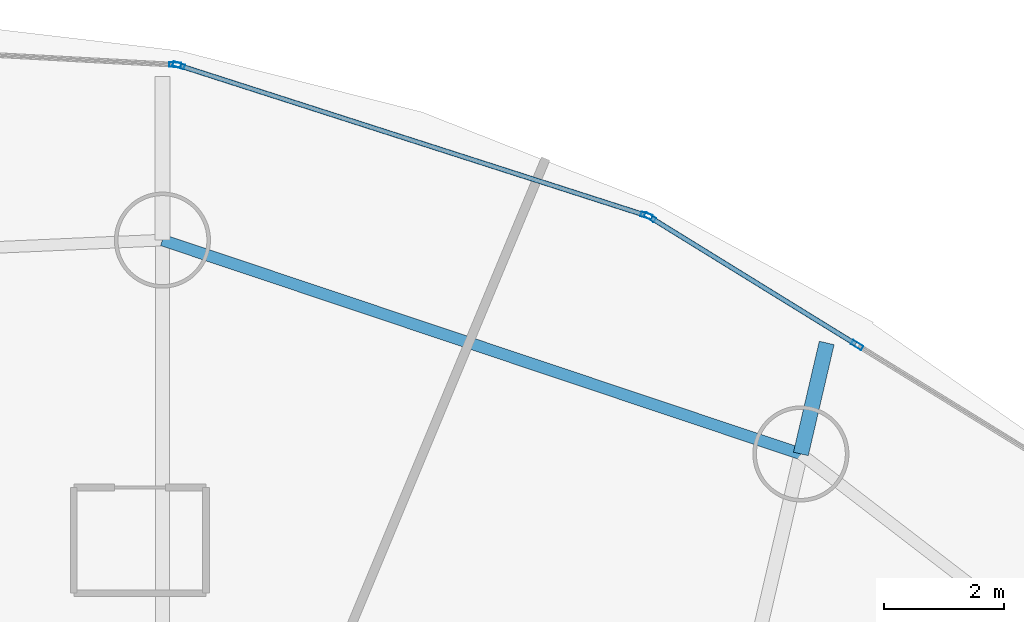
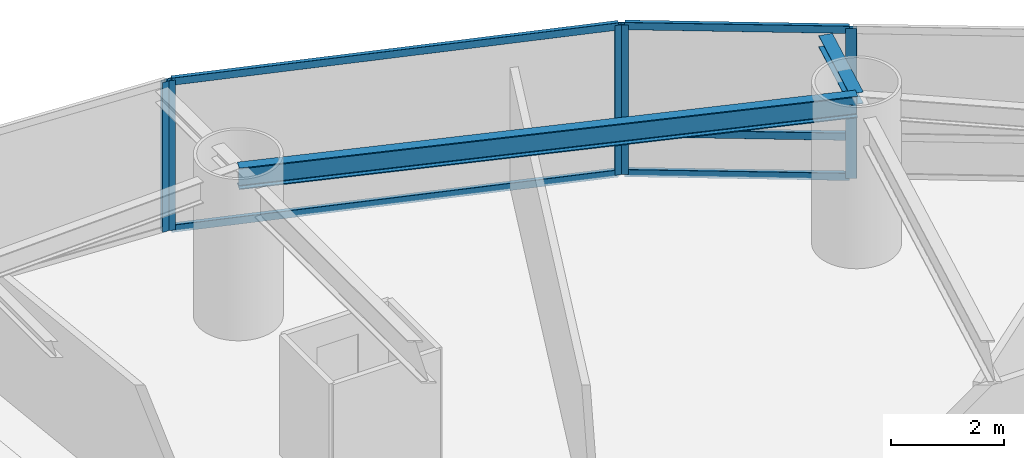
# One storey, part 16 of 26: 10 members, 2 beams, 3 elements without a shape of their own.
"""IFC4 building model written with IfcOpenShell, lengths in metres."""

from ifc_helpers import new_model, si_unit, direction, frame, origin, origin_2d, place, context, subcontext, project, spatial, hollow_rectangle, i_section, extrude, material, layer, layer_set, material_profile, profile_set, type_object, element, aggregate, save


model = new_model("IFC4")

# Units and contexts
model_context = context("Model", 3, precision=1e-05, world=origin(), true_north=direction((0.0, 1.0)))
body_context = subcontext(model_context, "Body", "Model", "MODEL_VIEW")
ifc_project = project(units=[si_unit("LENGTHUNIT", "METRE"), si_unit("AREAUNIT", "SQUARE_METRE"), si_unit("VOLUMEUNIT", "CUBIC_METRE"), si_unit("PLANEANGLEUNIT", "RADIAN"), si_unit("MASSUNIT", "GRAM", prefix="KILO")], contexts=[model_context])

# Site, building, storey
site_placement = place(None, origin())
site = spatial("IfcSite", under=ifc_project, at=site_placement, CompositionType="ELEMENT")
building_placement = place(site_placement, origin())
building = spatial("IfcBuilding", under=site, at=building_placement, Name="Bramvorn Convention Spire", CompositionType="ELEMENT")
storey_placement = place(building_placement, frame((0.0, 0.0, 76.39990234375)))
storey = spatial("IfcBuildingStorey", under=building, at=storey_placement, Name="L17", CompositionType="ELEMENT", Elevation=76.39990234375)

# Beams
ifc_material_1 = material(Name="Steel CSA G40.21 Grade 350 (350W)", Category="steel")
ifc_material_profile_1 = material_profile(ifc_material_1, i_section(OverallWidth=0.25390625, OverallDepth=0.2529296875, WebThickness=0.008544921875, FlangeThickness=0.01416015625, FilletRadius=0.011962890625, at=origin_2d()))
ifc_profile_set_1 = profile_set([ifc_material_profile_1], Name="Steel CSA G40.21 Grade 350 (350W) - W250X73")
beam_type_1 = type_object("IfcBeamType", Name="BM-W250X73", PredefinedType="BEAM", material=ifc_profile_set_1)
beam_1_placement = place(storey_placement, frame((51.59033203125, 43.509033203125, 3.12353515625), z_axis=(0.226578783801, 0.973992841212, 0.0), x_axis=(-0.973992841212, 0.226578783801, 0.0)))
element("IfcBeam", 1, at=beam_1_placement, inside=storey, type_object=beam_type_1, Name="L17 slab-edge cantilever tip beam MC04", PredefinedType="BEAM", context=body_context, shape_type="SweptSolid", body=[
    extrude(i_section(OverallWidth=0.25390625, OverallDepth=0.2529296875, WebThickness=0.008544921875, FlangeThickness=0.01416015625, FilletRadius=0.011962890625, at=origin_2d()), origin(), (0.0, 0.0, 1.0), 1.8974609375),
])
ifc_material_profile_2 = material_profile(ifc_material_1, i_section(OverallWidth=0.194091796875, OverallDepth=0.468994140625, WebThickness=0.0126953125, FlangeThickness=0.0205078125, FilletRadius=0.01806640625, at=origin_2d()))
ifc_profile_set_2 = profile_set([ifc_material_profile_2], Name="Steel CSA G40.21 Grade 350 (350W) - W460X106")
beam_type_2 = type_object("IfcBeamType", Name="BM-W460X106", PredefinedType="SPANDREL", material=ifc_profile_set_2)
beam_2_placement = place(storey_placement, frame((51.59033203125, 43.509033203125, 3.015625), z_axis=(-0.948235872727, 0.317566890078, 0.0), x_axis=(-0.317566890078, -0.948235872727, 0.0)))
element("IfcBeam", 2, at=beam_2_placement, inside=storey, type_object=beam_type_2, Name="L17 mega-column ring beam 04", PredefinedType="SPANDREL", context=body_context, shape_type="SweptSolid", body=[
    extrude(i_section(OverallWidth=0.194091796875, OverallDepth=0.468994140625, WebThickness=0.0126953125, FlangeThickness=0.0205078125, FilletRadius=0.01806640625, at=origin_2d()), origin(), (0.0, 0.0, 1.0), 11.209716796875),
])

# Curtain wall, members
ifc_material_2 = material(Name="Anodised Bronze Unitised Curtain Wall", Category="aluminium")
ifc_layer = layer(ifc_material_2, 0.179931640625)
ifc_layer_set = layer_set([ifc_layer], Name="Anodised Bronze Unitised Curtain Wall - CW-HTL-FRIT")
curtain_wall_type = type_object("IfcCurtainWallType", Name="CW-HTL-FRIT", PredefinedType="USERDEFINED", material=ifc_layer_set)
curtain_wall_1_placement = place(storey_placement, origin())
curtain_wall_1 = element("IfcCurtainWall", 3, at=curtain_wall_1_placement, inside=storey, type_object=curtain_wall_type, Name="L17 fritted glass curtain wall 05", ObjectType="UNITISED CURTAIN WALL", PredefinedType="USERDEFINED")
ifc_material_3 = material(Name="Anodised Bronze Aluminium 6063-T6", Category="aluminium")
ifc_material_profile_3 = material_profile(ifc_material_3, hollow_rectangle(XDim=0.080078125, YDim=0.199951171875, WallThickness=0.00390625, InnerFilletRadius=0.0009765625, OuterFilletRadius=0.00390625, at=origin_2d()))
ifc_profile_set_3 = profile_set([ifc_material_profile_3], Name="Anodised Bronze Aluminium 6063-T6 - CWM80X200")
member_type_1 = type_object("IfcMemberType", Name="CW-MUL-180", PredefinedType="MULLION", material=ifc_profile_set_3)
member_1_placement = place(storey_placement, frame((49.075927734375, 47.451171875, 0.0), z_axis=(0.0, 0.0, 1.0), x_axis=(0.525114493708, 0.851031590775, 0.0)))
member_1 = element("IfcMember", 4, at=member_1_placement, type_object=member_type_1, Name="CW2 mullion 1", PredefinedType="MULLION", context=body_context, shape_type="SweptSolid", body=[
    extrude(hollow_rectangle(XDim=0.080078125, YDim=0.199951171875, WallThickness=0.00390625, InnerFilletRadius=0.0009765625, OuterFilletRadius=0.00390625, at=origin_2d()), origin(), (0.0, 0.0, 1.0), 3.25),
])
member_2_placement = place(storey_placement, frame((52.527099609375, 45.321533203125, 0.0), z_axis=(0.0, 0.0, 1.0), x_axis=(0.525114493708, 0.851031590775, 0.0)))
member_2 = element("IfcMember", 5, at=member_2_placement, type_object=member_type_1, Name="CW2 mullion 2", PredefinedType="MULLION", context=body_context, shape_type="SweptSolid", body=[
    extrude(hollow_rectangle(XDim=0.080078125, YDim=0.199951171875, WallThickness=0.00390625, InnerFilletRadius=0.0009765625, OuterFilletRadius=0.00390625, at=origin_2d()), origin(), (0.0, 0.0, 1.0), 3.25),
])

curtain_wall_2_placement = place(storey_placement, origin())
curtain_wall_2 = element("IfcCurtainWall", 6, at=curtain_wall_2_placement, inside=storey, type_object=curtain_wall_type, Name="L17 fritted glass curtain wall 06", ObjectType="UNITISED CURTAIN WALL", PredefinedType="USERDEFINED")
member_3_placement = place(storey_placement, frame((41.232421875, 49.97802734375, 0.0), z_axis=(0.0, 0.0, 1.0), x_axis=(0.305812393181, 0.952091791886, 0.0)))
member_3 = element("IfcMember", 7, at=member_3_placement, type_object=member_type_1, Name="CW2 mullion 1", PredefinedType="MULLION", context=body_context, shape_type="SweptSolid", body=[
    extrude(hollow_rectangle(XDim=0.080078125, YDim=0.199951171875, WallThickness=0.00390625, InnerFilletRadius=0.0009765625, OuterFilletRadius=0.00390625, at=origin_2d()), origin(), (0.0, 0.0, 1.0), 3.25),
])
member_4_placement = place(storey_placement, frame((49.021728515625, 47.47607421875, 0.0), z_axis=(0.0, 0.0, 1.0), x_axis=(0.305812393181, 0.952091791886, 0.0)))
member_4 = element("IfcMember", 8, at=member_4_placement, type_object=member_type_1, Name="CW2 mullion 2", PredefinedType="MULLION", context=body_context, shape_type="SweptSolid", body=[
    extrude(hollow_rectangle(XDim=0.080078125, YDim=0.199951171875, WallThickness=0.00390625, InnerFilletRadius=0.0009765625, OuterFilletRadius=0.00390625, at=origin_2d()), origin(), (0.0, 0.0, 1.0), 3.25),
])

# Curtain wall, member
curtain_wall_3_placement = place(storey_placement, origin())
curtain_wall_3 = element("IfcCurtainWall", 9, at=curtain_wall_3_placement, inside=storey, type_object=curtain_wall_type, Name="L17 fritted glass curtain wall 07", ObjectType="UNITISED CURTAIN WALL", PredefinedType="USERDEFINED")
member_5_placement = place(storey_placement, frame((41.173828125, 49.98876953125, 0.0), z_axis=(0.0, 0.0, 1.0), x_axis=(0.053959235663, 0.998543139222, 0.0)))
member_5 = element("IfcMember", 10, at=member_5_placement, type_object=member_type_1, Name="CW2 mullion 2", PredefinedType="MULLION", context=body_context, shape_type="SweptSolid", body=[
    extrude(hollow_rectangle(XDim=0.080078125, YDim=0.199951171875, WallThickness=0.00390625, InnerFilletRadius=0.0009765625, OuterFilletRadius=0.00390625, at=origin_2d()), origin(), (0.0, 0.0, 1.0), 3.25),
])
aggregate(curtain_wall_3, [member_5])

# Member
ifc_material_profile_4 = material_profile(ifc_material_3, hollow_rectangle(XDim=0.080078125, YDim=0.159912109375, WallThickness=0.00390625, InnerFilletRadius=0.0009765625, OuterFilletRadius=0.00390625, at=origin_2d()))
ifc_profile_set_4 = profile_set([ifc_material_profile_4], Name="Anodised Bronze Aluminium 6063-T6 - CWT80X160")
member_type_2 = type_object("IfcMemberType", Name="CW-TRN-150", PredefinedType="USERDEFINED", material=ifc_profile_set_4)
member_6_placement = place(storey_placement, frame((49.1015625, 47.435302734375, 0.030029296875), z_axis=(0.851042984981, -0.525096027137, 0.0), x_axis=(0.525096027137, 0.851042984981, 0.0)))
member_6 = element("IfcMember", 11, at=member_6_placement, type_object=member_type_2, Name="CW2 transom 1.1", ObjectType="TRANSOM", PredefinedType="USERDEFINED", context=body_context, shape_type="SweptSolid", body=[
    extrude(hollow_rectangle(XDim=0.080078125, YDim=0.159912109375, WallThickness=0.00390625, InnerFilletRadius=0.0009765625, OuterFilletRadius=0.00390625, at=origin_2d()), origin(), (0.0, 0.0, 1.0), 3.995361328125),
])

member_7_placement = place(storey_placement, frame((49.1015625, 47.435302734375, 0.900146484375), z_axis=(0.851042984981, -0.525096027137, 0.0), x_axis=(0.525096027137, 0.851042984981, 0.0)))
member_7 = element("IfcMember", 12, at=member_7_placement, type_object=member_type_2, Name="CW2 transom 1.2", ObjectType="TRANSOM", PredefinedType="USERDEFINED", context=body_context, shape_type="SweptSolid", body=[
    extrude(hollow_rectangle(XDim=0.080078125, YDim=0.159912109375, WallThickness=0.00390625, InnerFilletRadius=0.0009765625, OuterFilletRadius=0.00390625, at=origin_2d()), origin(), (0.0, 0.0, 1.0), 3.995361328125),
])

member_8_placement = place(storey_placement, frame((49.1015625, 47.435302734375, 3.22021484375), z_axis=(0.851042984981, -0.525096027137, 0.0), x_axis=(0.525096027137, 0.851042984981, 0.0)))
member_8 = element("IfcMember", 13, at=member_8_placement, type_object=member_type_2, Name="CW2 transom 1.3", ObjectType="TRANSOM", PredefinedType="USERDEFINED", context=body_context, shape_type="SweptSolid", body=[
    extrude(hollow_rectangle(XDim=0.080078125, YDim=0.159912109375, WallThickness=0.00390625, InnerFilletRadius=0.0009765625, OuterFilletRadius=0.00390625, at=origin_2d()), origin(), (0.0, 0.0, 1.0), 3.995361328125),
])

aggregate(curtain_wall_1, [member_1, member_2, member_6, member_7, member_8])

member_9_placement = place(storey_placement, frame((41.260986328125, 49.96875, 0.030029296875), z_axis=(0.952098287688, -0.305792168936, 0.0), x_axis=(0.305792168936, 0.952098287688, 0.0)))
member_9 = element("IfcMember", 14, at=member_9_placement, type_object=member_type_2, Name="CW2 transom 1.1", ObjectType="TRANSOM", PredefinedType="USERDEFINED", context=body_context, shape_type="SweptSolid", body=[
    extrude(hollow_rectangle(XDim=0.080078125, YDim=0.159912109375, WallThickness=0.00390625, InnerFilletRadius=0.0009765625, OuterFilletRadius=0.00390625, at=origin_2d()), origin(), (0.0, 0.0, 1.0), 8.12109375),
])

member_10_placement = place(storey_placement, frame((41.260986328125, 49.96875, 3.22021484375), z_axis=(0.952098287688, -0.305792168936, 0.0), x_axis=(0.305792168936, 0.952098287688, 0.0)))
member_10 = element("IfcMember", 15, at=member_10_placement, type_object=member_type_2, Name="CW2 transom 1.2", ObjectType="TRANSOM", PredefinedType="USERDEFINED", context=body_context, shape_type="SweptSolid", body=[
    extrude(hollow_rectangle(XDim=0.080078125, YDim=0.159912109375, WallThickness=0.00390625, InnerFilletRadius=0.0009765625, OuterFilletRadius=0.00390625, at=origin_2d()), origin(), (0.0, 0.0, 1.0), 8.12109375),
])

aggregate(curtain_wall_2, [member_3, member_4, member_9, member_10])

save(model, "model.ifc")
